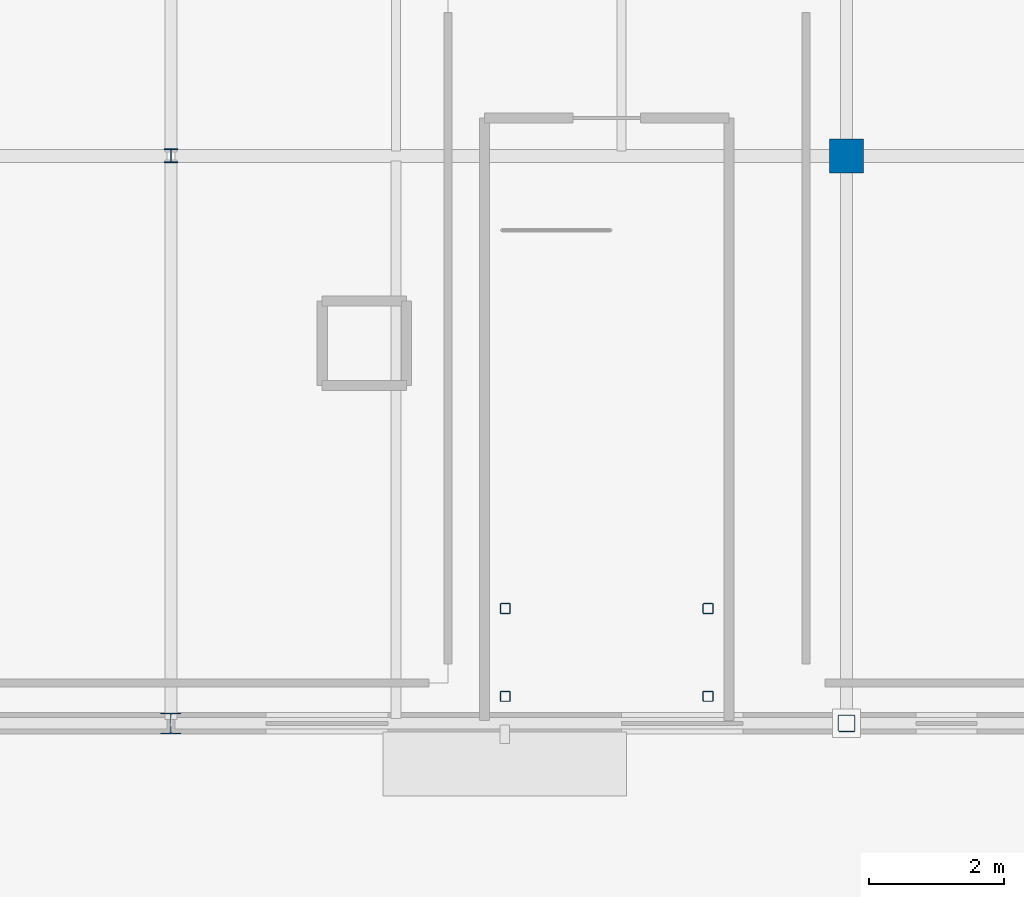
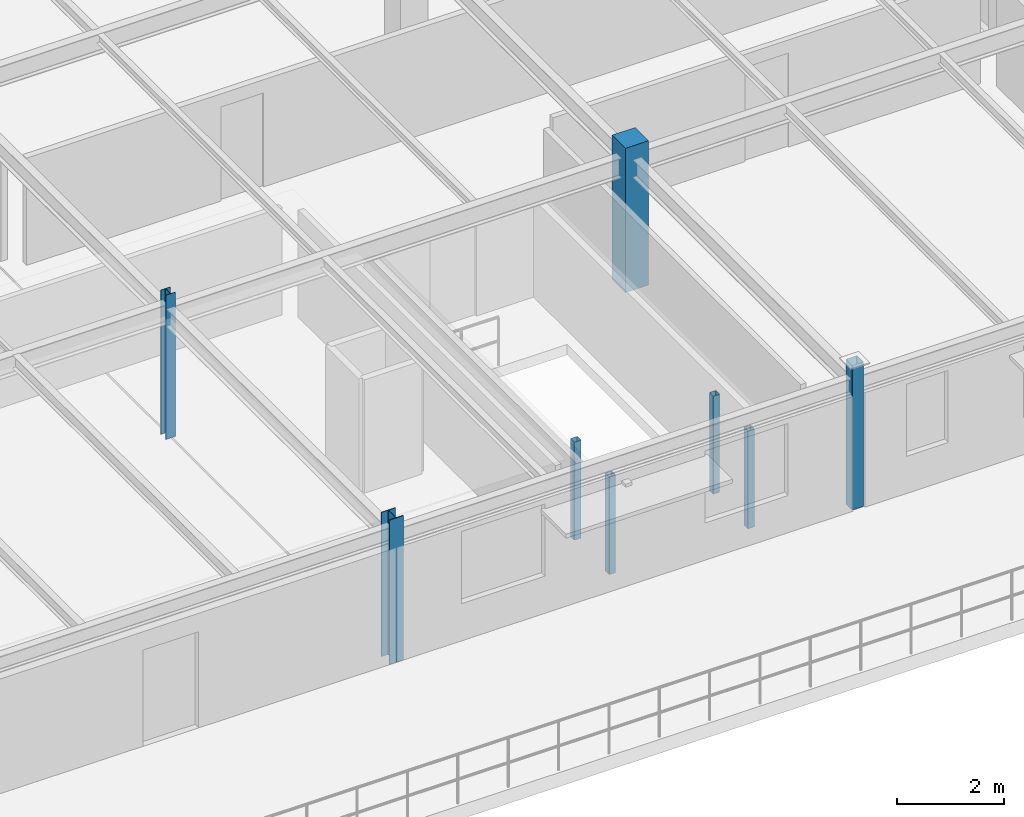
# One storey, part 8 of 23: 8 columns.
"""IFC4 building model written with IfcOpenShell, lengths in metres."""

from ifc_helpers import new_model, si_unit, derived_unit, direction, frame, origin, origin_2d_with_axis, place, context, subcontext, project, spatial, rectangle, hollow_rectangle, i_section, extrude, material, material_profile, profile_set, type_object, element, save


model = new_model("IFC4")

# Units and contexts
model_context = context("Model", 3, precision=1e-05, world=origin(), true_north=direction((0.0, 1.0)))
body_context = subcontext(model_context, "Body", "Model", "MODEL_VIEW")
ifc_project = project(units=[si_unit("LENGTHUNIT", "METRE"), si_unit("AREAUNIT", "SQUARE_METRE"), si_unit("VOLUMEUNIT", "CUBIC_METRE"), si_unit("PLANEANGLEUNIT", "RADIAN"), si_unit("MASSUNIT", "GRAM", prefix="KILO"), derived_unit("THERMALTRANSMITTANCEUNIT", [(si_unit("POWERUNIT", "WATT"), 1), (si_unit("LENGTHUNIT", "METRE"), -2), (si_unit("THERMODYNAMICTEMPERATUREUNIT", "KELVIN"), -1)])], contexts=[model_context])

# Site, building, storey
site_placement = place(None, origin())
site = spatial("IfcSite", under=ifc_project, at=site_placement, CompositionType="ELEMENT")
building_placement = place(site_placement, origin())
building = spatial("IfcBuilding", under=site, at=building_placement, Name="Cinnabar Yard Market Hall", CompositionType="ELEMENT")
storey_placement = place(building_placement, frame((0.0, 0.0, 12.0)))
storey = spatial("IfcBuildingStorey", under=building, at=storey_placement, Name="L03", CompositionType="ELEMENT", Elevation=12.0)

# Columns
ifc_material_1 = material(Name="Steel Grade 300 (300 MPa)", Category="steel")
ifc_material_profile_1 = material_profile(ifc_material_1, i_section(OverallWidth=0.304931640625, OverallDepth=0.30810546875, WebThickness=0.010009765625, FlangeThickness=0.015380859375, FilletRadius=0.0166015625, at=origin_2d_with_axis()), Name="310UC96.8")
ifc_profile_set_1 = profile_set([ifc_material_profile_1], Name="Steel Grade 300 (300 MPa)")
column_type_1 = type_object("IfcColumnType", Name="COL-C09E", PredefinedType="COLUMN", material=ifc_profile_set_1)
column_1_placement = place(storey_placement, frame((136.0, 112.800048828125, 0.0), z_axis=(0.0, 0.0, 1.0), x_axis=(1.0, 0.0, 0.0)))
element("IfcColumn", 1, at=column_1_placement, inside=storey, type_object=column_type_1, Name="Wing Column V3-08-02 L03", PredefinedType="COLUMN", context=body_context, shape_type="SweptSolid", body=[
    extrude(i_section(OverallWidth=0.304931640625, OverallDepth=0.30810546875, WebThickness=0.010009765625, FlangeThickness=0.015380859375, FilletRadius=0.0166015625, at=origin_2d_with_axis()), origin(), (0.0, 0.0, 1.0), 3.300048828125),
])
ifc_material_profile_2 = material_profile(ifc_material_1, i_section(OverallWidth=0.203369140625, OverallDepth=0.203369140625, WebThickness=0.00732421875, FlangeThickness=0.010986328125, FilletRadius=0.011474609375, at=origin_2d_with_axis()), Name="200UC46.2")
ifc_profile_set_2 = profile_set([ifc_material_profile_2], Name="Steel Grade 300 (300 MPa)")
column_type_2 = type_object("IfcColumnType", Name="COL-C13", PredefinedType="COLUMN", material=ifc_profile_set_2)
column_2_placement = place(storey_placement, frame((136.0, 121.199951171875, 0.0), z_axis=(0.0, 0.0, 1.0), x_axis=(1.0, 0.0, 0.0)))
element("IfcColumn", 2, at=column_2_placement, inside=storey, type_object=column_type_2, Name="Wing Column V3-08-03 L03", PredefinedType="COLUMN", context=body_context, shape_type="SweptSolid", body=[
    extrude(i_section(OverallWidth=0.203369140625, OverallDepth=0.203369140625, WebThickness=0.00732421875, FlangeThickness=0.010986328125, FilletRadius=0.011474609375, at=origin_2d_with_axis()), origin(), (0.0, 0.0, 1.0), 3.300048828125),
])
ifc_material_2 = material(Name="Cold-formed steel C350L0", Category="steel")
ifc_material_profile_3 = material_profile(ifc_material_2, hollow_rectangle(XDim=0.14990234375, YDim=0.14990234375, WallThickness=0.006103515625, InnerFilletRadius=0.006103515625, OuterFilletRadius=0.011962890625, at=origin_2d_with_axis()), Name="150x150x6.0SHS")
ifc_profile_set_3 = profile_set([ifc_material_profile_3], Name="Cold-formed steel C350L0")
column_type_3 = type_object("IfcColumnType", Name="COL-C16", PredefinedType="COLUMN", material=ifc_profile_set_3)
for number, where, z_axis, x_axis, name in (
    (3, (140.949951171875, 113.199951171875, 0.0), (0.0, 0.0, 1.0), (1.0, 0.0, 0.0), "Feature Stair Cap Post ST-F6-1"),
    (4, (143.949951171875, 113.199951171875, 0.0), (0.0, 0.0, 1.0), (1.0, 0.0, 0.0), "Feature Stair Cap Post ST-F6-2"),
    (5, (140.949951171875, 114.5, 0.0), (0.0, 0.0, 1.0), (1.0, 0.0, 0.0), "Feature Stair Cap Post ST-F6-3"),
    (6, (143.949951171875, 114.5, 0.0), (0.0, 0.0, 1.0), (1.0, 0.0, 0.0), "Feature Stair Cap Post ST-F6-4"),
):
    element("IfcColumn", number, at=place(storey_placement, frame(where, z_axis=z_axis, x_axis=x_axis)), inside=storey, type_object=column_type_3, Name=name, PredefinedType="COLUMN", context=body_context, shape_type="SweptSolid", body=[
        extrude(hollow_rectangle(XDim=0.14990234375, YDim=0.14990234375, WallThickness=0.006103515625, InnerFilletRadius=0.006103515625, OuterFilletRadius=0.011962890625, at=origin_2d_with_axis()), origin(), (0.0, 0.0, 1.0), 2.239990234375),
    ])
ifc_material_profile_4 = material_profile(ifc_material_2, hollow_rectangle(XDim=0.25, YDim=0.25, WallThickness=0.009033203125, InnerFilletRadius=0.009033203125, OuterFilletRadius=0.01806640625, at=origin_2d_with_axis()), Name="250x250x9.0SHS")
ifc_profile_set_4 = profile_set([ifc_material_profile_4], Name="Cold-formed steel C350L0")
column_type_4 = type_object("IfcColumnType", Name="COL-C20E", PredefinedType="COLUMN", material=ifc_profile_set_4)
column_3_placement = place(storey_placement, frame((146.0, 112.800048828125, 0.0), z_axis=(0.0, 0.0, 1.0), x_axis=(1.0, 0.0, 0.0)))
element("IfcColumn", 7, at=column_3_placement, inside=storey, type_object=column_type_4, Name="Wing Column V3-09-02 L03", PredefinedType="COLUMN", context=body_context, shape_type="SweptSolid", body=[
    extrude(hollow_rectangle(XDim=0.25, YDim=0.25, WallThickness=0.009033203125, InnerFilletRadius=0.009033203125, OuterFilletRadius=0.01806640625, at=origin_2d_with_axis()), origin(), (0.0, 0.0, 1.0), 3.300048828125),
])
ifc_material_3 = material(Name="Concrete 40 MPa", Category="concrete")
ifc_material_profile_5 = material_profile(ifc_material_3, rectangle(XDim=0.5, YDim=0.5, at=origin_2d_with_axis()), Name="RC-500x500")
ifc_profile_set_5 = profile_set([ifc_material_profile_5], Name="Concrete 40 MPa")
column_type_5 = type_object("IfcColumnType", Name="COL-RC1", PredefinedType="COLUMN", material=ifc_profile_set_5)
column_4_placement = place(storey_placement, frame((146.0, 121.199951171875, 0.0), z_axis=(0.0, 0.0, 1.0), x_axis=(1.0, 0.0, 0.0)))
element("IfcColumn", 8, at=column_4_placement, inside=storey, type_object=column_type_5, Name="Wing Column V3-09-03 L03", PredefinedType="COLUMN", context=body_context, shape_type="SweptSolid", body=[
    extrude(rectangle(XDim=0.5, YDim=0.5, at=origin_2d_with_axis()), origin(), (0.0, 0.0, 1.0), 3.300048828125),
])

save(model, "model.ifc")
